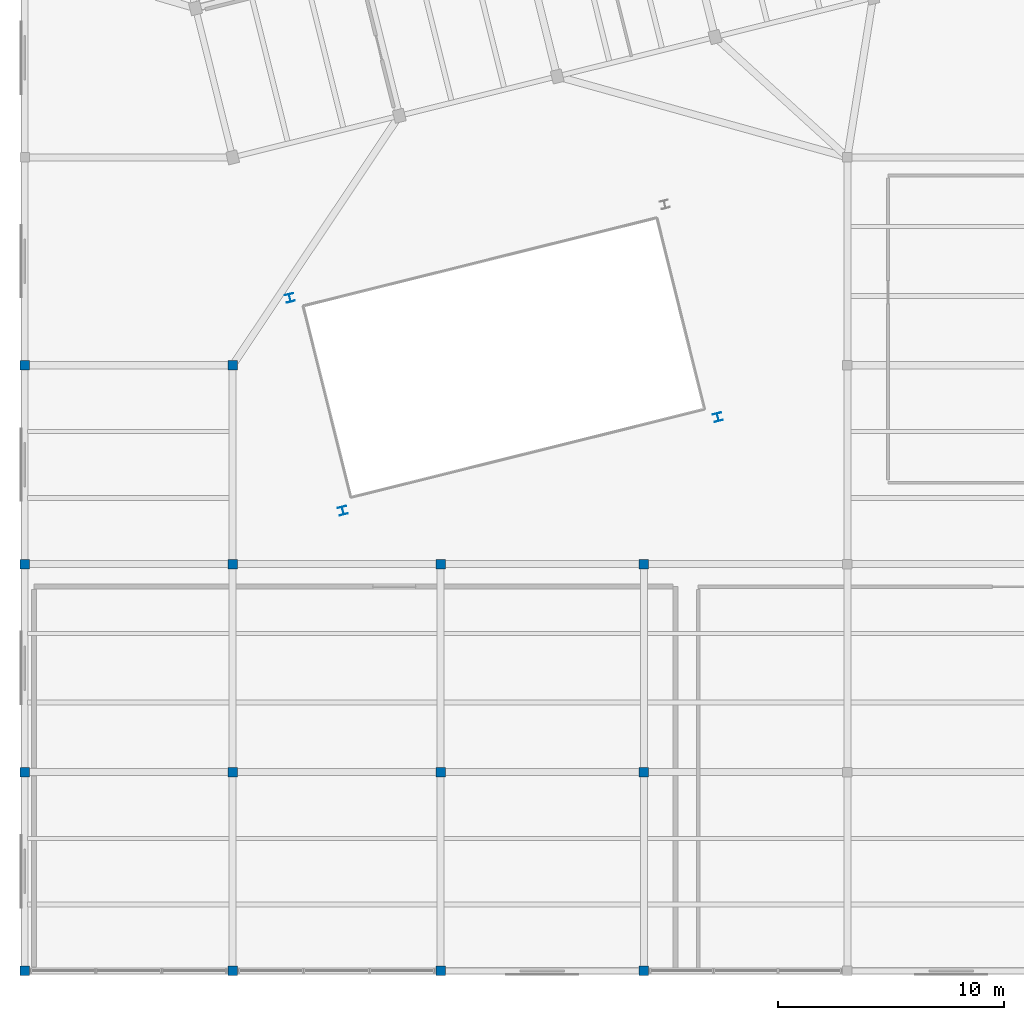
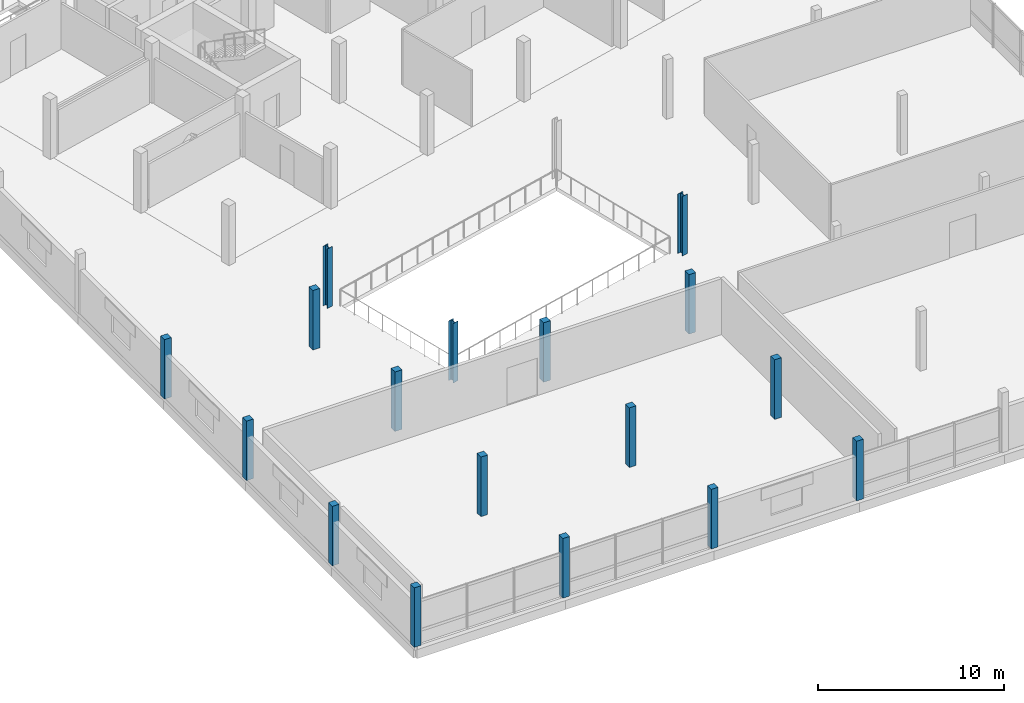
# One storey, part 1 of 47: 17 columns.
"""IFC4 building model written with IfcOpenShell, lengths in metres."""

import ifcopenshell
import ifcopenshell.guid

model = None  # the IFC model being written
_history = None  # IfcOwnerHistory: only IFC2X3 demands one
_inside = {}  # id of a spatial element -> (the spatial element, [elements in it])
_under = {}  # id of a project, library or spatial element -> (it, [spatial elements below it])
_declared = {}  # id of a project -> (the project, [libraries it declares])
_typed = {}  # id of a type object -> (the type object, [elements of that type])
_made_of = {}  # id of a material, layer set ... -> (it, [elements and type objects made of it])


def new_model(schema):
    """Start an empty IFC model of exactly this schema.

    Asked for "IFC4X3", IfcOpenShell would pick the latest addendum, in which some entities
    have other attributes; the version numbers below select the first issue.
    IFC2X3 requires an IfcOwnerHistory on every rooted entity: one is made here for all.
    """
    global model, _history
    if schema == "IFC4X3":
        model = ifcopenshell.file(schema_version=(4, 3, 0, 0))
    else:
        model = ifcopenshell.file(schema=schema)
    _inside.clear()
    _under.clear()
    _declared.clear()
    _typed.clear()
    _made_of.clear()
    _history = None
    if model.schema == "IFC2X3":
        org = make("IfcOrganization", Name="unknown")
        user = make(
            "IfcPersonAndOrganization",
            ThePerson=make("IfcPerson", FamilyName="unknown"),
            TheOrganization=org,
        )
        app = make(
            "IfcApplication",
            ApplicationDeveloper=org,
            Version="unknown",
            ApplicationFullName="unknown",
            ApplicationIdentifier="unknown",
        )
        _history = make(
            "IfcOwnerHistory",
            OwningUser=user,
            OwningApplication=app,
            ChangeAction="ADDED",
            CreationDate=0,
        )
    return model


def make(cls, **values):
    """One entity of the class cls with the attributes given. An attribute that is None is left unset."""
    return model.create_entity(
        cls, **{name: value for name, value in values.items() if value is not None}
    )


def rooted(cls, **values):
    """An entity with a GlobalId (a new one), such as an element, a storey or a relation."""
    return make(cls, GlobalId=ifcopenshell.guid.new(), OwnerHistory=_history, **values)


def si_unit(unit_type, name, prefix=None):
    """IfcSIUnit, for example si_unit("LENGTHUNIT", "METRE", prefix="MILLI")."""
    return make("IfcSIUnit", UnitType=unit_type, Prefix=prefix, Name=name)


def assignment(units):
    """IfcUnitAssignment: the units of a project."""
    return None if units is None else make("IfcUnitAssignment", Units=units)


def point(xyz):
    """IfcCartesianPoint."""
    return None if xyz is None else make("IfcCartesianPoint", Coordinates=xyz)


def direction(xyz):
    """IfcDirection."""
    return None if xyz is None else make("IfcDirection", DirectionRatios=xyz)


def frame(location, z_axis=None, x_axis=None):
    """IfcAxis2Placement3D, a coordinate frame: its origin and axes. An axis left out is left unset."""
    return make(
        "IfcAxis2Placement3D",
        Location=point(location),
        Axis=direction(z_axis),
        RefDirection=direction(x_axis),
    )


def frame_2d(location, x_axis=None):
    """IfcAxis2Placement2D, a coordinate frame in the plane: its origin and x axis."""
    return make(
        "IfcAxis2Placement2D", Location=point(location), RefDirection=direction(x_axis)
    )


def origin():
    """The frame at (0, 0, 0) with its axes left unset."""
    return frame((0.0, 0.0, 0.0))


def origin_2d():
    """The frame at (0, 0) in the plane with its x axis left unset."""
    return frame_2d((0.0, 0.0))


def place(relative_to, where):
    """IfcLocalPlacement: puts the frame where relative to a parent placement (None: the world)."""
    return make(
        "IfcLocalPlacement", PlacementRelTo=relative_to, RelativePlacement=where
    )


def context(
    kind, dimensions, precision=None, world=None, true_north=None, identifier=None
):
    """IfcGeometricRepresentationContext, for example the 3D "Model" context."""
    return make(
        "IfcGeometricRepresentationContext",
        ContextIdentifier=identifier,
        ContextType=kind,
        CoordinateSpaceDimension=dimensions,
        Precision=precision,
        WorldCoordinateSystem=world,
        TrueNorth=true_north,
    )


def subcontext(parent, identifier, kind, view, scale=None):
    """IfcGeometricRepresentationSubContext, for example "Body" below "Model"."""
    return make(
        "IfcGeometricRepresentationSubContext",
        ContextIdentifier=identifier,
        ContextType=kind,
        ParentContext=parent,
        TargetScale=scale,
        TargetView=view,
    )


def project(units=None, contexts=None):
    """IfcProject with its units and contexts."""
    return rooted(
        "IfcProject",
        Name="project",
        RepresentationContexts=contexts,
        UnitsInContext=assignment(units),
    )


def spatial(cls, under=None, at=None, **own):
    """A site, building, storey or space (cls), placed at a placement, below another one or the project."""
    s = rooted(cls, ObjectPlacement=at, **own)
    if under is not None:
        _under.setdefault(under.id(), (under, []))[1].append(s)
    return s


def profile(cls, at=None, kind="AREA", **sizes):
    """A parametric profile (cls). Its sizes go by their IFC names, for example OverallWidth=200.0."""
    return make(cls, ProfileType=kind, Position=at, **sizes)


def rectangle(**sizes):
    """IfcRectangleProfileDef."""
    return profile("IfcRectangleProfileDef", **sizes)


def i_section(**sizes):
    """IfcIShapeProfileDef."""
    return profile("IfcIShapeProfileDef", **sizes)


def extrude(swept, where, along, depth):
    """IfcExtrudedAreaSolid: the profile swept, set in the frame where, extruded along a direction by depth."""
    return make(
        "IfcExtrudedAreaSolid",
        SweptArea=swept,
        Position=where,
        ExtrudedDirection=direction(along),
        Depth=depth,
    )


def shape(context_of_items, identifier, shape_type, items):
    """IfcShapeRepresentation: the items that make up one representation, for example the "Body"."""
    return make(
        "IfcShapeRepresentation",
        ContextOfItems=context_of_items,
        RepresentationIdentifier=identifier,
        RepresentationType=shape_type,
        Items=items,
    )


def material(Name=None, Category=None):
    """IfcMaterial."""
    return make("IfcMaterial", Name=Name, Category=Category)


def material_profile(
    of_material, cross_section, Name=None, Category=None, Priority=None
):
    """IfcMaterialProfile: a cross section and its material."""
    return make(
        "IfcMaterialProfile",
        Name=Name,
        Material=of_material,
        Profile=cross_section,
        Priority=Priority,
        Category=Category,
    )


def profile_set(profiles, Name=None, composite=None):
    """IfcMaterialProfileSet."""
    return make(
        "IfcMaterialProfileSet",
        Name=Name,
        MaterialProfiles=profiles,
        CompositeProfile=composite,
    )


def made_of(thing, what):
    """Note that an element or type object is made of a material, layer set ...; save() writes the relation."""
    if what is not None:
        _made_of.setdefault(what.id(), (what, []))[1].append(thing)
    return thing


def type_object(cls, material=None, **own):
    """A type object (cls), such as IfcWallType, which elements share."""
    return made_of(rooted(cls, **own), material)


def element(
    cls,
    number,
    at=None,
    inside=None,
    cuts=None,
    type_object=None,
    material=None,
    context=None,
    identifier="Body",
    shape_type=None,
    held_by="IfcProductDefinitionShape",
    body=None,
    shapes=None,
    **own,
):
    """One element of the class cls, such as IfcWall. Its Tag is "e" and its number.

    at: its placement. inside: the storey or other place that contains it. cuts: it is an
    opening in that element (IfcRelVoidsElement). A single representation is given by context,
    identifier, shape_type and body (its items); several are given by shapes. held_by: the class
    of the entity that holds the representations. save() writes the other relations.
    """
    e = rooted(cls, Tag="e%d" % number, ObjectPlacement=at, **own)
    if body is not None:
        shapes = [shape(context, identifier, shape_type, body)]
    if shapes is not None:
        e.Representation = make(held_by, Representations=shapes)
    if inside is not None:
        _inside.setdefault(inside.id(), (inside, []))[1].append(e)
    if cuts is not None:
        rooted(
            "IfcRelVoidsElement", RelatingBuildingElement=cuts, RelatedOpeningElement=e
        )
    if type_object is not None:
        _typed.setdefault(type_object.id(), (type_object, []))[1].append(e)
    return made_of(e, material)


def aggregate(whole, parts):
    """IfcRelAggregates: a whole, such as a stair, and the parts it consists of."""
    return rooted("IfcRelAggregates", RelatingObject=whole, RelatedObjects=parts)


def save(model, path):
    """Write the relations noted so far, then the file.

    IfcRelAggregates (storeys below a building ...), IfcRelContainedInSpatialStructure (elements
    in a storey), IfcRelDefinesByType, IfcRelAssociatesMaterial and IfcRelDeclares: one each for
    every whole, place, type object, material and project.
    """
    for whole, parts in _under.values():
        aggregate(whole, parts)
    for where, things in _inside.values():
        rooted(
            "IfcRelContainedInSpatialStructure",
            RelatedElements=things,
            RelatingStructure=where,
        )
    for kind, things in _typed.values():
        rooted("IfcRelDefinesByType", RelatedObjects=things, RelatingType=kind)
    for what, things in _made_of.values():
        rooted("IfcRelAssociatesMaterial", RelatedObjects=things, RelatingMaterial=what)
    for by, libraries in _declared.values():
        rooted("IfcRelDeclares", RelatingContext=by, RelatedDefinitions=libraries)
    model.write(path)


model = new_model("IFC4")

# Units and contexts
model_context = context("Model", 3, precision=1e-05, world=origin(), true_north=direction((0.0, 1.0)))
body_context = subcontext(model_context, "Body", "Model", "MODEL_VIEW")
ifc_project = project(units=[si_unit("LENGTHUNIT", "METRE"), si_unit("AREAUNIT", "SQUARE_METRE"), si_unit("VOLUMEUNIT", "CUBIC_METRE"), si_unit("PLANEANGLEUNIT", "RADIAN"), si_unit("MASSUNIT", "GRAM", prefix="KILO")], contexts=[model_context])

# Site, building, storey
site_placement = place(None, origin())
site = spatial("IfcSite", under=ifc_project, at=site_placement, CompositionType="ELEMENT")
building_placement = place(site_placement, origin())
building = spatial("IfcBuilding", under=site, at=building_placement, Name="Meriwether Solvik Hall", CompositionType="ELEMENT")
storey_placement = place(building_placement, frame((0.0, 0.0, 18.300048828125)))
storey = spatial("IfcBuildingStorey", under=building, at=storey_placement, Name="L04", CompositionType="ELEMENT", Elevation=18.300048828125)

# Columns
ifc_material_1 = material(Name="Glulam Douglas-Fir L2 GL28c", Category="wood")
ifc_material_profile_1 = material_profile(ifc_material_1, rectangle(XDim=0.419921875, YDim=0.419921875, at=origin_2d()), Name="GLC-420X420")
ifc_profile_set_1 = profile_set([ifc_material_profile_1], Name="Glulam Douglas-Fir L2 GL28c")
column_type_1 = type_object("IfcColumnType", Name="COL-GL-420X420", PredefinedType="COLUMN", material=ifc_profile_set_1)
for number, where, z_axis, x_axis, name in (
    (1, (59.39990234375, 5.199951171875, 0.0), (0.0, 0.0, 1.0), (1.0, 0.0, 0.0), "Podium Column 7/A (L04)"),
    (2, (59.39990234375, 14.0, 0.0), (0.0, 0.0, 1.0), (1.0, 0.0, 0.0), "Podium Column 7/B (L04)"),
    (3, (59.39990234375, 23.199951171875, 0.0), (0.0, 0.0, 1.0), (1.0, 0.0, 0.0), "Podium Column 7/C (L04)"),
    (4, (59.39990234375, 32.0, 0.0), (0.0, 0.0, 1.0), (1.0, 0.0, 0.0), "Podium Column 7/D (L04)"),
    (5, (68.60009765625, 5.199951171875, 0.0), (0.0, 0.0, 1.0), (1.0, 0.0, 0.0), "Podium Column 8/A (L04)"),
    (6, (68.60009765625, 14.0, 0.0), (0.0, 0.0, 1.0), (1.0, 0.0, 0.0), "Podium Column 8/B (L04)"),
    (7, (68.60009765625, 23.199951171875, 0.0), (0.0, 0.0, 1.0), (1.0, 0.0, 0.0), "Podium Column 8/C (L04)"),
    (8, (68.60009765625, 32.0, 0.0), (0.0, 0.0, 1.0), (1.0, 0.0, 0.0), "Podium Column 8/D (L04)"),
    (9, (77.800048828125, 5.199951171875, 0.0), (0.0, 0.0, 1.0), (1.0, 0.0, 0.0), "Podium Column 9/A (L04)"),
    (10, (77.800048828125, 14.0, 0.0), (0.0, 0.0, 1.0), (1.0, 0.0, 0.0), "Podium Column 9/B (L04)"),
    (11, (77.800048828125, 23.199951171875, 0.0), (0.0, 0.0, 1.0), (1.0, 0.0, 0.0), "Podium Column 9/C (L04)"),
    (12, (86.800048828125, 5.199951171875, 0.0), (0.0, 0.0, 1.0), (1.0, 0.0, 0.0), "Podium Column 10/A (L04)"),
    (13, (86.800048828125, 14.0, 0.0), (0.0, 0.0, 1.0), (1.0, 0.0, 0.0), "Podium Column 10/B (L04)"),
    (14, (86.800048828125, 23.199951171875, 0.0), (0.0, 0.0, 1.0), (1.0, 0.0, 0.0), "Podium Column 10/C (L04)"),
):
    element("IfcColumn", number, at=place(storey_placement, frame(where, z_axis=z_axis, x_axis=x_axis)), inside=storey, type_object=column_type_1, Name=name, PredefinedType="COLUMN", context=body_context, shape_type="SweptSolid", body=[
        extrude(rectangle(XDim=0.419921875, YDim=0.419921875, at=origin_2d()), origin(), (0.0, 0.0, 1.0), 3.89990234375),
    ])
ifc_material_2 = material(Name="Steel A992 Grade 50", Category="steel")
ifc_material_profile_2 = material_profile(ifc_material_2, i_section(OverallWidth=0.368896484375, OverallDepth=0.35595703125, WebThickness=0.01123046875, FlangeThickness=0.01806640625, at=origin_2d()), Name="W14X90")
ifc_profile_set_2 = profile_set([ifc_material_profile_2], Name="Steel A992 Grade 50")
column_type_2 = type_object("IfcColumnType", Name="COL-STL-W14X90", PredefinedType="COLUMN", material=ifc_profile_set_2)
for number, where, z_axis, x_axis, name in (
    (15, (73.477294921875, 25.5654296875, 0.0), (0.0, 0.0, 1.0), (0.970295726276, 0.2419218956, 0.0), "Atrium Cleft Corner Column SW (L04)"),
    (16, (90.0693359375, 29.702392578125, 0.0), (0.0, 0.0, 1.0), (0.970295726276, 0.2419218956, 0.0), "Atrium Cleft Corner Column SE (L04)"),
    (17, (71.130615234375, 34.977294921875, 0.0), (0.0, 0.0, 1.0), (0.970295726276, 0.2419218956, 0.0), "Atrium Cleft Corner Column NW (L04)"),
):
    element("IfcColumn", number, at=place(storey_placement, frame(where, z_axis=z_axis, x_axis=x_axis)), inside=storey, type_object=column_type_2, Name=name, PredefinedType="COLUMN", context=body_context, shape_type="SweptSolid", body=[
        extrude(i_section(OverallWidth=0.368896484375, OverallDepth=0.35595703125, WebThickness=0.01123046875, FlangeThickness=0.01806640625, at=origin_2d()), origin(), (0.0, 0.0, 1.0), 3.89990234375),
    ])

save(model, "model.ifc")
